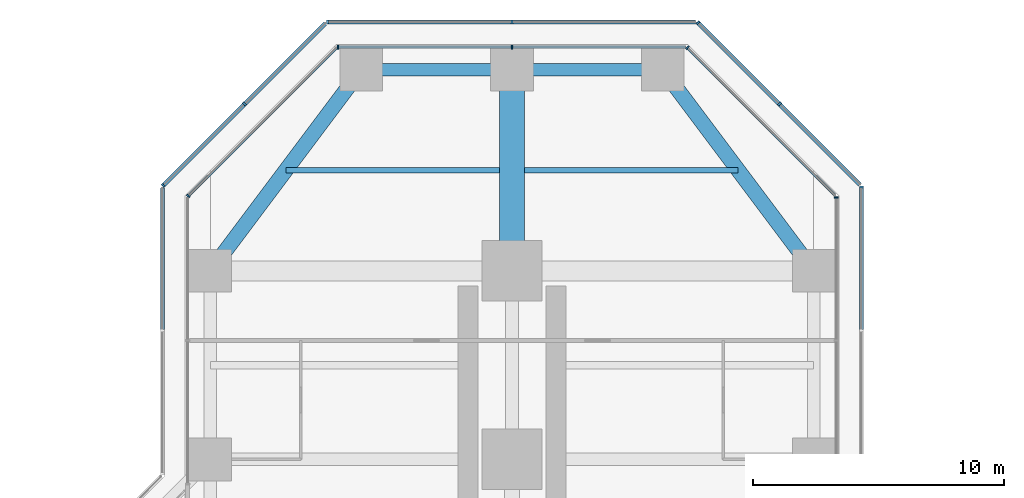
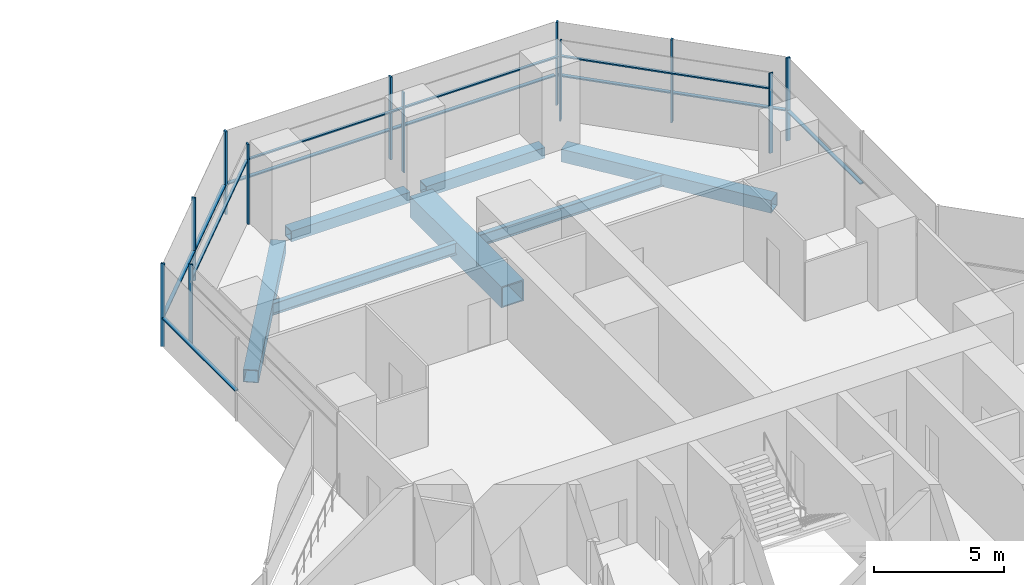
# One storey, part 13 of 22: 24 members, 7 beams, 9 elements without a shape of their own.
"""IFC4 building model written with IfcOpenShell, lengths in metres."""

from ifc_helpers import new_model, si_unit, direction, frame, origin, origin_2d, place, context, subcontext, project, spatial, rectangle, hollow_rectangle, i_section, extrude, material, material_profile, profile_set, type_object, element, aggregate, save


model = new_model("IFC4")

# Units and contexts
model_context = context("Model", 3, precision=1e-05, world=origin(), true_north=direction((0.0, 1.0)))
body_context = subcontext(model_context, "Body", "Model", "MODEL_VIEW")
ifc_project = project(units=[si_unit("LENGTHUNIT", "METRE"), si_unit("AREAUNIT", "SQUARE_METRE"), si_unit("VOLUMEUNIT", "CUBIC_METRE"), si_unit("PLANEANGLEUNIT", "RADIAN"), si_unit("MASSUNIT", "GRAM", prefix="KILO")], contexts=[model_context])

# Site, building, storey
site_placement = place(None, origin())
site = spatial("IfcSite", under=ifc_project, at=site_placement, CompositionType="ELEMENT")
building_placement = place(site_placement, origin())
building = spatial("IfcBuilding", under=site, at=building_placement, Name="Mizan Broadcast Tower", CompositionType="ELEMENT")
storey_placement = place(building_placement, frame((0.0, 0.0, 82.5)))
storey = spatial("IfcBuildingStorey", under=building, at=storey_placement, Name="L17", CompositionType="ELEMENT", Elevation=82.5)

# Beams
ifc_material_1 = material(Name="Steel S355", Category="steel")
ifc_material_profile_1 = material_profile(ifc_material_1, hollow_rectangle(XDim=0.5, YDim=0.5, WallThickness=0.030029296875, at=origin_2d()), Name="BOX 500x500x30")
ifc_profile_set_1 = profile_set([ifc_material_profile_1], Name="Steel S355")
beam_type_1 = type_object("IfcBeamType", Name="EDGE BEAM BOX 500x500x30", PredefinedType="SPANDREL", material=ifc_profile_set_1)
for number, where, z_axis, x_axis, name in (
    (1, (5.639892578125, 35.0, -0.3798828125), (-1.0, 0.0, 0.0), (0.0, -1.0, 0.0), "Edge beam BOX 500x500x30 L17 north arm"),
    (2, (-5.639892578125, 35.0, -0.3798828125), (1.0, 0.0, 0.0), (0.0, 1.0, 0.0), "Edge beam BOX 500x500x30 L17 north arm"),
):
    element("IfcBeam", number, at=place(storey_placement, frame(where, z_axis=z_axis, x_axis=x_axis)), inside=storey, type_object=beam_type_1, Name=name, PredefinedType="SPANDREL", context=body_context, shape_type="SweptSolid", body=[
        extrude(hollow_rectangle(XDim=0.5, YDim=0.5, WallThickness=0.030029296875, at=origin_2d()), origin(), (0.0, 0.0, 1.0), 5.27978515625),
    ])
ifc_material_2 = material(Name="Steel S355", Category="steel")
ifc_material_profile_2 = material_profile(ifc_material_2, hollow_rectangle(XDim=0.60009765625, YDim=0.60009765625, WallThickness=0.030029296875, at=origin_2d()), Name="BOX 600x600x30")
ifc_profile_set_2 = profile_set([ifc_material_profile_2], Name="Steel S355")
beam_type_2 = type_object("IfcBeamType", Name="EDGE BEAM BOX 600x600x30", PredefinedType="SPANDREL", material=ifc_profile_set_2)
for number, where, z_axis, x_axis, name in (
    (3, (11.639892578125, 27.47998046875, -0.429931640625), (-0.599982243973, 0.800013316712, 0.0), (-0.800013316712, -0.599982243973, 0.0), "Edge beam BOX 600x600x30 L17 north arm"),
    (4, (-11.639892578125, 27.47998046875, -0.429931640625), (0.599982243973, 0.800013316712, 0.0), (-0.800013316712, 0.599982243973, 0.0), "Edge beam BOX 600x600x30 L17 north arm"),
):
    element("IfcBeam", number, at=place(storey_placement, frame(where, z_axis=z_axis, x_axis=x_axis)), inside=storey, type_object=beam_type_2, Name=name, PredefinedType="SPANDREL", context=body_context, shape_type="SweptSolid", body=[
        extrude(hollow_rectangle(XDim=0.60009765625, YDim=0.60009765625, WallThickness=0.030029296875, at=origin_2d()), origin(), (0.0, 0.0, 1.0), 8.7998046875),
    ])
ifc_material_3 = material(Name="Steel S460", Category="steel")
ifc_material_profile_3 = material_profile(ifc_material_3, hollow_rectangle(XDim=1.0, YDim=1.0, WallThickness=0.06005859375, at=origin_2d()), Name="BOX 1000x1000x60")
ifc_profile_set_3 = profile_set([ifc_material_profile_3], Name="Steel S460")
beam_type_3 = type_object("IfcBeamType", Name="GIRDER BOX 1000x1000x60", PredefinedType="BEAM", material=ifc_profile_set_3)
beam_placement = place(storey_placement, frame((0.0, 27.47998046875, -0.6298828125), z_axis=(0.0, 1.0, 0.0), x_axis=(-1.0, 0.0, 0.0)))
element("IfcBeam", 5, at=beam_placement, inside=storey, type_object=beam_type_3, Name="Girder BOX 1000x1000x60 L17 north arm", PredefinedType="BEAM", context=body_context, shape_type="SweptSolid", body=[
    extrude(hollow_rectangle(XDim=1.0, YDim=1.0, WallThickness=0.06005859375, at=origin_2d()), origin(), (0.0, 0.0, 1.0), 7.0400390625),
])

# Curtain wall, member
ifc_material_4 = material(Name="Aluminium framed glazing", Category="aluminium")
curtain_wall_type_1 = type_object("IfcCurtainWallType", Name="INNER SKIN LOW ZONE", PredefinedType="USERDEFINED", material=ifc_material_4)
curtain_wall_1_placement = place(storey_placement, origin())
curtain_wall_1 = element("IfcCurtainWall", 6, at=curtain_wall_1_placement, inside=storey, type_object=curtain_wall_type_1, Name="Inner skin low zone L17 N side", ObjectType="INNER SKIN LOW ZONE", PredefinedType="USERDEFINED")
ifc_material_5 = material(Name="Aluminium, pale anodised", Category="aluminium")
ifc_material_profile_4 = material_profile(ifc_material_5, rectangle(XDim=0.159912109375, YDim=0.06005859375, at=origin_2d()), Name="MULLION 160x60")
ifc_profile_set_4 = profile_set([ifc_material_profile_4], Name="Aluminium, pale anodised")
member_type_1 = type_object("IfcMemberType", Name="INNER SKIN MULLION 60x160", PredefinedType="MULLION", material=ifc_profile_set_4)
member_1_placement = place(storey_placement, frame((12.89990234375, 29.928466796875, 0.0), z_axis=(0.0, 0.0, 1.0), x_axis=(-1.0, 0.0, 0.0)))
member_1 = element("IfcMember", 7, at=member_1_placement, type_object=member_type_1, Name="Inner skin low zone L17 N side mullion 3", PredefinedType="MULLION", context=body_context, shape_type="SweptSolid", body=[
    extrude(rectangle(XDim=0.159912109375, YDim=0.06005859375, at=origin_2d()), origin(), (0.0, 0.0, 1.0), 3.77001953125),
])
aggregate(curtain_wall_1, [member_1])

curtain_wall_2_placement = place(storey_placement, origin())
curtain_wall_2 = element("IfcCurtainWall", 8, at=curtain_wall_2_placement, inside=storey, type_object=curtain_wall_type_1, Name="Inner skin low zone L17 N chamfer", ObjectType="INNER SKIN LOW ZONE", PredefinedType="USERDEFINED")
member_2_placement = place(storey_placement, frame((6.979736328125, 35.87890625, 0.0), z_axis=(0.0, 0.0, 1.0), x_axis=(-0.707106781187, -0.707106781187, 0.0)))
member_2 = element("IfcMember", 9, at=member_2_placement, type_object=member_type_1, Name="Inner skin low zone L17 N chamfer mullion 2", PredefinedType="MULLION", context=body_context, shape_type="SweptSolid", body=[
    extrude(rectangle(XDim=0.159912109375, YDim=0.06005859375, at=origin_2d()), origin(), (0.0, 0.0, 1.0), 3.77001953125),
])

# Curtain wall, members
curtain_wall_3_placement = place(storey_placement, origin())
curtain_wall_3 = element("IfcCurtainWall", 10, at=curtain_wall_3_placement, inside=storey, type_object=curtain_wall_type_1, Name="Inner skin low zone L17 N end", ObjectType="INNER SKIN LOW ZONE", PredefinedType="USERDEFINED")
member_3_placement = place(storey_placement, frame((0.0, 35.89990234375, 0.0), z_axis=(0.0, 0.0, 1.0), x_axis=(0.0, -1.0, 0.0)))
member_3 = element("IfcMember", 11, at=member_3_placement, type_object=member_type_1, Name="Inner skin low zone L17 N end mullion 2", PredefinedType="MULLION", context=body_context, shape_type="SweptSolid", body=[
    extrude(rectangle(XDim=0.159912109375, YDim=0.06005859375, at=origin_2d()), origin(), (0.0, 0.0, 1.0), 3.77001953125),
])
member_4_placement = place(storey_placement, frame((-6.928466796875, 35.89990234375, 0.0), z_axis=(0.0, 0.0, 1.0), x_axis=(0.0, -1.0, 0.0)))
member_4 = element("IfcMember", 12, at=member_4_placement, type_object=member_type_1, Name="Inner skin low zone L17 N end mullion 3", PredefinedType="MULLION", context=body_context, shape_type="SweptSolid", body=[
    extrude(rectangle(XDim=0.159912109375, YDim=0.06005859375, at=origin_2d()), origin(), (0.0, 0.0, 1.0), 3.77001953125),
])

# Curtain wall, member
curtain_wall_4_placement = place(storey_placement, origin())
curtain_wall_4 = element("IfcCurtainWall", 13, at=curtain_wall_4_placement, inside=storey, type_object=curtain_wall_type_1, Name="Inner skin low zone L17 N chamfer", ObjectType="INNER SKIN LOW ZONE", PredefinedType="USERDEFINED")
member_5_placement = place(storey_placement, frame((-12.87890625, 29.979736328125, 0.0), z_axis=(0.0, 0.0, 1.0), x_axis=(0.707106781187, -0.707106781187, 0.0)))
member_5 = element("IfcMember", 14, at=member_5_placement, type_object=member_type_1, Name="Inner skin low zone L17 N chamfer mullion 2", PredefinedType="MULLION", context=body_context, shape_type="SweptSolid", body=[
    extrude(rectangle(XDim=0.159912109375, YDim=0.06005859375, at=origin_2d()), origin(), (0.0, 0.0, 1.0), 3.77001953125),
])

# Member
ifc_material_6 = material(Name="Aluminium, pale anodised", Category="aluminium")
ifc_material_profile_5 = material_profile(ifc_material_6, rectangle(XDim=0.1201171875, YDim=0.06005859375, at=origin_2d()), Name="TRANSOM 120x60")
ifc_profile_set_5 = profile_set([ifc_material_profile_5], Name="Aluminium, pale anodised")
member_type_2 = type_object("IfcMemberType", Name="INNER SKIN TRANSOM 60x120", PredefinedType="USERDEFINED", material=ifc_profile_set_5)
member_6_placement = place(storey_placement, frame((12.857666015625, 30.0009765625, 3.030029296875), z_axis=(-0.707106781187, 0.707106781187, 0.0), x_axis=(-0.707106781187, -0.707106781187, 0.0)))
member_6 = element("IfcMember", 15, at=member_6_placement, type_object=member_type_2, Name="Inner skin low zone L17 N chamfer transom 1.1", ObjectType="TRANSOM", PredefinedType="USERDEFINED", context=body_context, shape_type="SweptSolid", body=[
    extrude(rectangle(XDim=0.1201171875, YDim=0.06005859375, at=origin_2d()), origin(), (0.0, 0.0, 1.0), 8.28271484375),
])

aggregate(curtain_wall_2, [member_2, member_6])

member_7_placement = place(storey_placement, frame((6.898681640625, 35.89990234375, 3.030029296875), z_axis=(-1.0, 0.0, 0.0), x_axis=(0.0, -1.0, 0.0)))
member_7 = element("IfcMember", 16, at=member_7_placement, type_object=member_type_2, Name="Inner skin low zone L17 N end transom 1.1", ObjectType="TRANSOM", PredefinedType="USERDEFINED", context=body_context, shape_type="SweptSolid", body=[
    extrude(rectangle(XDim=0.1201171875, YDim=0.06005859375, at=origin_2d()), origin(), (0.0, 0.0, 1.0), 6.86865234375),
])

member_8_placement = place(storey_placement, frame((-0.030029296875, 35.89990234375, 3.030029296875), z_axis=(-1.0, 0.0, 0.0), x_axis=(0.0, -1.0, 0.0)))
member_8 = element("IfcMember", 17, at=member_8_placement, type_object=member_type_2, Name="Inner skin low zone L17 N end transom 2.1", ObjectType="TRANSOM", PredefinedType="USERDEFINED", context=body_context, shape_type="SweptSolid", body=[
    extrude(rectangle(XDim=0.1201171875, YDim=0.06005859375, at=origin_2d()), origin(), (0.0, 0.0, 1.0), 6.86865234375),
])

aggregate(curtain_wall_3, [member_3, member_4, member_7, member_8])

member_9_placement = place(storey_placement, frame((-7.0009765625, 35.857666015625, 3.030029296875), z_axis=(-0.707106781187, -0.707106781187, 0.0), x_axis=(0.707106781187, -0.707106781187, 0.0)))
member_9 = element("IfcMember", 18, at=member_9_placement, type_object=member_type_2, Name="Inner skin low zone L17 N chamfer transom 1.1", ObjectType="TRANSOM", PredefinedType="USERDEFINED", context=body_context, shape_type="SweptSolid", body=[
    extrude(rectangle(XDim=0.1201171875, YDim=0.06005859375, at=origin_2d()), origin(), (0.0, 0.0, 1.0), 8.28271484375),
])

aggregate(curtain_wall_4, [member_5, member_9])

# Curtain wall, member
ifc_material_7 = material(Name="Aluminium framed glazing", Category="aluminium")
curtain_wall_type_2 = type_object("IfcCurtainWallType", Name="OUTER SKIN", PredefinedType="USERDEFINED", material=ifc_material_7)
curtain_wall_5_placement = place(storey_placement, origin())
curtain_wall_5 = element("IfcCurtainWall", 19, at=curtain_wall_5_placement, inside=storey, type_object=curtain_wall_type_2, Name="Outer skin L17 N side", ObjectType="OUTER SKIN", PredefinedType="USERDEFINED")
ifc_material_8 = material(Name="Aluminium, pale anodised", Category="aluminium")
ifc_material_profile_6 = material_profile(ifc_material_8, rectangle(XDim=0.159912109375, YDim=0.080078125, at=origin_2d()), Name="MULLION 160x80")
ifc_profile_set_6 = profile_set([ifc_material_profile_6], Name="Aluminium, pale anodised")
member_type_3 = type_object("IfcMemberType", Name="OUTER SKIN MULLION 80x160", PredefinedType="MULLION", material=ifc_profile_set_6)
member_10_placement = place(storey_placement, frame((13.89990234375, 30.332763671875, 0.0), z_axis=(0.0, 0.0, 1.0), x_axis=(-1.0, 0.0, 0.0)))
member_10 = element("IfcMember", 20, at=member_10_placement, type_object=member_type_3, Name="Outer skin L17 N side mullion 3", PredefinedType="MULLION", context=body_context, shape_type="SweptSolid", body=[
    extrude(rectangle(XDim=0.159912109375, YDim=0.080078125, at=origin_2d()), origin(), (0.0, 0.0, 1.0), 3.89990234375),
])

# Curtain wall, members
curtain_wall_6_placement = place(storey_placement, origin())
curtain_wall_6 = element("IfcCurtainWall", 21, at=curtain_wall_6_placement, inside=storey, type_object=curtain_wall_type_2, Name="Outer skin L17 N chamfer", ObjectType="OUTER SKIN", PredefinedType="USERDEFINED")
member_11_placement = place(storey_placement, frame((10.636474609375, 33.636474609375, 0.0), z_axis=(0.0, 0.0, 1.0), x_axis=(-0.707106781187, -0.707106781187, 0.0)))
member_11 = element("IfcMember", 22, at=member_11_placement, type_object=member_type_3, Name="Outer skin L17 N chamfer mullion 2", PredefinedType="MULLION", context=body_context, shape_type="SweptSolid", body=[
    extrude(rectangle(XDim=0.159912109375, YDim=0.080078125, at=origin_2d()), origin(), (0.0, 0.0, 1.0), 3.89990234375),
])
member_12_placement = place(storey_placement, frame((7.401123046875, 36.871826171875, 0.0), z_axis=(0.0, 0.0, 1.0), x_axis=(-0.707106781187, -0.707106781187, 0.0)))
member_12 = element("IfcMember", 23, at=member_12_placement, type_object=member_type_3, Name="Outer skin L17 N chamfer mullion 3", PredefinedType="MULLION", context=body_context, shape_type="SweptSolid", body=[
    extrude(rectangle(XDim=0.159912109375, YDim=0.080078125, at=origin_2d()), origin(), (0.0, 0.0, 1.0), 3.89990234375),
])

curtain_wall_7_placement = place(storey_placement, origin())
curtain_wall_7 = element("IfcCurtainWall", 24, at=curtain_wall_7_placement, inside=storey, type_object=curtain_wall_type_2, Name="Outer skin L17 N end", ObjectType="OUTER SKIN", PredefinedType="USERDEFINED")
member_13_placement = place(storey_placement, frame((0.0, 36.89990234375, 0.0), z_axis=(0.0, 0.0, 1.0), x_axis=(0.0, -1.0, 0.0)))
member_13 = element("IfcMember", 25, at=member_13_placement, type_object=member_type_3, Name="Outer skin L17 N end mullion 2", PredefinedType="MULLION", context=body_context, shape_type="SweptSolid", body=[
    extrude(rectangle(XDim=0.159912109375, YDim=0.080078125, at=origin_2d()), origin(), (0.0, 0.0, 1.0), 3.89990234375),
])
member_14_placement = place(storey_placement, frame((-7.332763671875, 36.89990234375, 0.0), z_axis=(0.0, 0.0, 1.0), x_axis=(0.0, -1.0, 0.0)))
member_14 = element("IfcMember", 26, at=member_14_placement, type_object=member_type_3, Name="Outer skin L17 N end mullion 3", PredefinedType="MULLION", context=body_context, shape_type="SweptSolid", body=[
    extrude(rectangle(XDim=0.159912109375, YDim=0.080078125, at=origin_2d()), origin(), (0.0, 0.0, 1.0), 3.89990234375),
])

curtain_wall_8_placement = place(storey_placement, origin())
curtain_wall_8 = element("IfcCurtainWall", 27, at=curtain_wall_8_placement, inside=storey, type_object=curtain_wall_type_2, Name="Outer skin L17 N chamfer", ObjectType="OUTER SKIN", PredefinedType="USERDEFINED")
member_15_placement = place(storey_placement, frame((-10.636474609375, 33.636474609375, 0.0), z_axis=(0.0, 0.0, 1.0), x_axis=(0.707106781187, -0.707106781187, 0.0)))
member_15 = element("IfcMember", 28, at=member_15_placement, type_object=member_type_3, Name="Outer skin L17 N chamfer mullion 2", PredefinedType="MULLION", context=body_context, shape_type="SweptSolid", body=[
    extrude(rectangle(XDim=0.159912109375, YDim=0.080078125, at=origin_2d()), origin(), (0.0, 0.0, 1.0), 3.89990234375),
])
member_16_placement = place(storey_placement, frame((-13.871826171875, 30.401123046875, 0.0), z_axis=(0.0, 0.0, 1.0), x_axis=(0.707106781187, -0.707106781187, 0.0)))
member_16 = element("IfcMember", 29, at=member_16_placement, type_object=member_type_3, Name="Outer skin L17 N chamfer mullion 3", PredefinedType="MULLION", context=body_context, shape_type="SweptSolid", body=[
    extrude(rectangle(XDim=0.159912109375, YDim=0.080078125, at=origin_2d()), origin(), (0.0, 0.0, 1.0), 3.89990234375),
])

# Member
ifc_material_9 = material(Name="Aluminium, pale anodised", Category="aluminium")
ifc_material_profile_7 = material_profile(ifc_material_9, rectangle(XDim=0.159912109375, YDim=0.06005859375, at=origin_2d()), Name="TRANSOM 160x60")
ifc_profile_set_7 = profile_set([ifc_material_profile_7], Name="Aluminium, pale anodised")
member_type_4 = type_object("IfcMemberType", Name="OUTER SKIN TRANSOM 60x160", PredefinedType="USERDEFINED", material=ifc_profile_set_7)
member_17_placement = place(storey_placement, frame((13.89990234375, 24.662841796875, 1.39990234375), z_axis=(0.0, 1.0, 0.0), x_axis=(-1.0, 0.0, 0.0)))
member_17 = element("IfcMember", 30, at=member_17_placement, type_object=member_type_4, Name="Outer skin L17 N side transom 2.1", ObjectType="TRANSOM", PredefinedType="USERDEFINED", context=body_context, shape_type="SweptSolid", body=[
    extrude(rectangle(XDim=0.159912109375, YDim=0.06005859375, at=origin_2d()), origin(), (0.0, 0.0, 1.0), 5.6298828125),
])

aggregate(curtain_wall_5, [member_10, member_17])

member_18_placement = place(storey_placement, frame((13.843505859375, 30.429443359375, 1.39990234375), z_axis=(-0.707106781187, 0.707106781187, 0.0), x_axis=(-0.707106781187, -0.707106781187, 0.0)))
member_18 = element("IfcMember", 31, at=member_18_placement, type_object=member_type_4, Name="Outer skin L17 N chamfer transom 1.1", ObjectType="TRANSOM", PredefinedType="USERDEFINED", context=body_context, shape_type="SweptSolid", body=[
    extrude(rectangle(XDim=0.159912109375, YDim=0.06005859375, at=origin_2d()), origin(), (0.0, 0.0, 1.0), 4.495361328125),
])

member_19_placement = place(storey_placement, frame((10.608154296875, 33.664794921875, 1.39990234375), z_axis=(-0.707106781187, 0.707106781187, 0.0), x_axis=(-0.707106781187, -0.707106781187, 0.0)))
member_19 = element("IfcMember", 32, at=member_19_placement, type_object=member_type_4, Name="Outer skin L17 N chamfer transom 2.1", ObjectType="TRANSOM", PredefinedType="USERDEFINED", context=body_context, shape_type="SweptSolid", body=[
    extrude(rectangle(XDim=0.159912109375, YDim=0.06005859375, at=origin_2d()), origin(), (0.0, 0.0, 1.0), 4.495361328125),
])

aggregate(curtain_wall_6, [member_11, member_12, member_18, member_19])

member_20_placement = place(storey_placement, frame((7.292724609375, 36.89990234375, 1.39990234375), z_axis=(-1.0, 0.0, 0.0), x_axis=(0.0, -1.0, 0.0)))
member_20 = element("IfcMember", 33, at=member_20_placement, type_object=member_type_4, Name="Outer skin L17 N end transom 1.1", ObjectType="TRANSOM", PredefinedType="USERDEFINED", context=body_context, shape_type="SweptSolid", body=[
    extrude(rectangle(XDim=0.159912109375, YDim=0.06005859375, at=origin_2d()), origin(), (0.0, 0.0, 1.0), 7.252685546875),
])

member_21_placement = place(storey_placement, frame((-0.0400390625, 36.89990234375, 1.39990234375), z_axis=(-1.0, 0.0, 0.0), x_axis=(0.0, -1.0, 0.0)))
member_21 = element("IfcMember", 34, at=member_21_placement, type_object=member_type_4, Name="Outer skin L17 N end transom 2.1", ObjectType="TRANSOM", PredefinedType="USERDEFINED", context=body_context, shape_type="SweptSolid", body=[
    extrude(rectangle(XDim=0.159912109375, YDim=0.06005859375, at=origin_2d()), origin(), (0.0, 0.0, 1.0), 7.252685546875),
])

aggregate(curtain_wall_7, [member_13, member_14, member_20, member_21])

member_22_placement = place(storey_placement, frame((-7.429443359375, 36.843505859375, 1.39990234375), z_axis=(-0.707106781187, -0.707106781187, 0.0), x_axis=(0.707106781187, -0.707106781187, 0.0)))
member_22 = element("IfcMember", 35, at=member_22_placement, type_object=member_type_4, Name="Outer skin L17 N chamfer transom 1.1", ObjectType="TRANSOM", PredefinedType="USERDEFINED", context=body_context, shape_type="SweptSolid", body=[
    extrude(rectangle(XDim=0.159912109375, YDim=0.06005859375, at=origin_2d()), origin(), (0.0, 0.0, 1.0), 4.495361328125),
])

member_23_placement = place(storey_placement, frame((-10.664794921875, 33.608154296875, 1.39990234375), z_axis=(-0.707106781187, -0.707106781187, 0.0), x_axis=(0.707106781187, -0.707106781187, 0.0)))
member_23 = element("IfcMember", 36, at=member_23_placement, type_object=member_type_4, Name="Outer skin L17 N chamfer transom 2.1", ObjectType="TRANSOM", PredefinedType="USERDEFINED", context=body_context, shape_type="SweptSolid", body=[
    extrude(rectangle(XDim=0.159912109375, YDim=0.06005859375, at=origin_2d()), origin(), (0.0, 0.0, 1.0), 4.495361328125),
])

aggregate(curtain_wall_8, [member_15, member_16, member_22, member_23])

# Curtain wall, member
curtain_wall_9_placement = place(storey_placement, origin())
curtain_wall_9 = element("IfcCurtainWall", 37, at=curtain_wall_9_placement, inside=storey, type_object=curtain_wall_type_2, Name="Outer skin L17 N side", ObjectType="OUTER SKIN", PredefinedType="USERDEFINED")
member_24_placement = place(storey_placement, frame((-13.89990234375, 30.292724609375, 1.39990234375), z_axis=(0.0, -1.0, 0.0), x_axis=(1.0, 0.0, 0.0)))
member_24 = element("IfcMember", 38, at=member_24_placement, type_object=member_type_4, Name="Outer skin L17 N side transom 1.1", ObjectType="TRANSOM", PredefinedType="USERDEFINED", context=body_context, shape_type="SweptSolid", body=[
    extrude(rectangle(XDim=0.159912109375, YDim=0.06005859375, at=origin_2d()), origin(), (0.0, 0.0, 1.0), 5.6298828125),
])
aggregate(curtain_wall_9, [member_24])

# Beams
ifc_material_10 = material(Name="Steel S355", Category="steel")
ifc_material_profile_8 = material_profile(ifc_material_10, i_section(OverallWidth=0.2099609375, OverallDepth=0.550048828125, WebThickness=0.010986328125, FlangeThickness=0.01708984375, FilletRadius=0.02392578125, at=origin_2d()), Name="IPE 550")
ifc_profile_set_8 = profile_set([ifc_material_profile_8], Name="Steel S355")
beam_type_4 = type_object("IfcBeamType", Name="SECONDARY BEAM IPE 550", PredefinedType="JOIST", material=ifc_profile_set_8)
for number, where, z_axis, x_axis, name in (
    (39, (9.0, 31.0, -0.405029296875), (-1.0, 0.0, 0.0), (0.0, -1.0, 0.0), "Secondary beam IPE 550 L17 north arm"),
    (40, (-9.0, 31.0, -0.405029296875), (1.0, 0.0, 0.0), (0.0, 1.0, 0.0), "Secondary beam IPE 550 L17 north arm"),
):
    element("IfcBeam", number, at=place(storey_placement, frame(where, z_axis=z_axis, x_axis=x_axis)), inside=storey, type_object=beam_type_4, Name=name, PredefinedType="JOIST", context=body_context, shape_type="SweptSolid", body=[
        extrude(i_section(OverallWidth=0.2099609375, OverallDepth=0.550048828125, WebThickness=0.010986328125, FlangeThickness=0.01708984375, FilletRadius=0.02392578125, at=origin_2d()), origin(), (0.0, 0.0, 1.0), 8.5),
    ])

save(model, "model.ifc")
